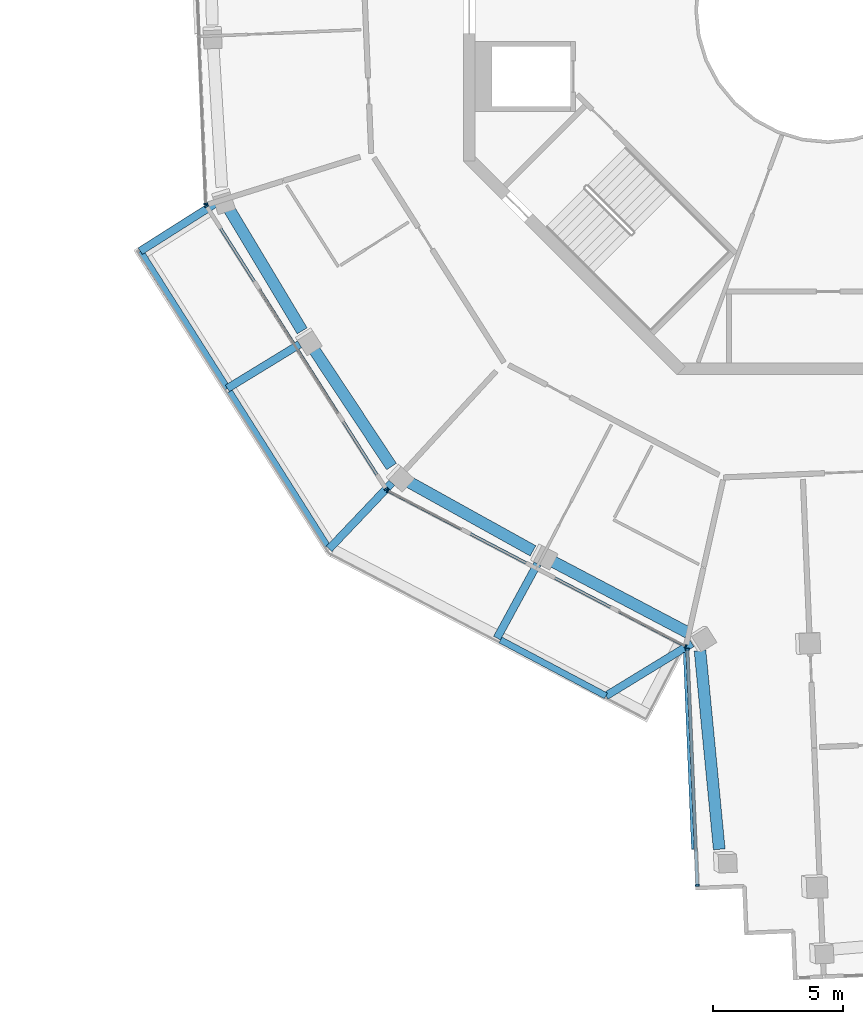
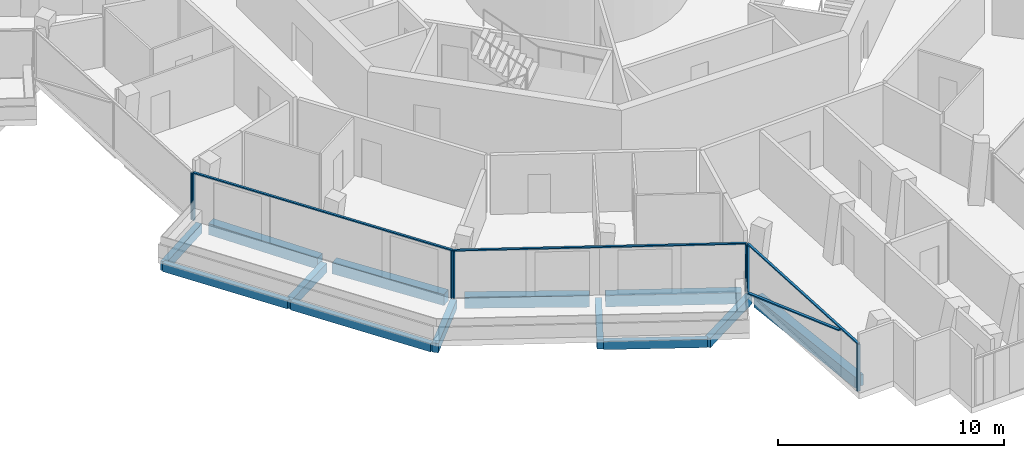
# One storey, part 2 of 23: 13 beams, 11 members, 4 elements without a shape of their own.
"""IFC4 building model written with IfcOpenShell, lengths in metres."""

from ifc_helpers import new_model, si_unit, direction, frame, origin, origin_2d, place, context, subcontext, project, spatial, rectangle, extrude, material, layer, layer_set, material_profile, profile_set, type_object, element, aggregate, save


model = new_model("IFC4")

# Units and contexts
model_context = context("Model", 3, precision=1e-05, world=origin(), true_north=direction((0.0, 1.0)))
body_context = subcontext(model_context, "Body", "Model", "MODEL_VIEW")
ifc_project = project(units=[si_unit("LENGTHUNIT", "METRE"), si_unit("AREAUNIT", "SQUARE_METRE"), si_unit("VOLUMEUNIT", "CUBIC_METRE"), si_unit("PLANEANGLEUNIT", "RADIAN"), si_unit("MASSUNIT", "GRAM", prefix="KILO")], contexts=[model_context])

# Site, building, storey
site_placement = place(None, origin())
site = spatial("IfcSite", under=ifc_project, at=site_placement, CompositionType="ELEMENT")
building_placement = place(site_placement, origin())
building = spatial("IfcBuilding", under=site, at=building_placement, Name="Verdalira Terraces Hotel", CompositionType="ELEMENT")
storey_placement = place(building_placement, frame((0.0, 0.0, 288.0)))
storey = spatial("IfcBuildingStorey", under=building, at=storey_placement, Name="L71", CompositionType="ELEMENT", Elevation=288.0)

# Beams
ifc_material_1 = material(Name="Concrete C40", Category="concrete")
ifc_material_profile_1 = material_profile(ifc_material_1, rectangle(XDim=0.300049, YDim=0.5, at=origin_2d()), Name="RC 300X500")
ifc_profile_set_1 = profile_set([ifc_material_profile_1], Name="Concrete C40")
beam_type_1 = type_object("IfcBeamType", Name="Balcony cantilever beam RC 300X500 C40", PredefinedType="BEAM", material=ifc_profile_set_1)
beam_1_placement = place(storey_placement, frame((-11.15918, -21.25708, -0.560059), z_axis=(-0.478094243, -0.878308542, 0.0), x_axis=(0.878308542, -0.478094243, 0.0)))
element("IfcBeam", 1, at=beam_1_placement, inside=storey, type_object=beam_type_1, Name="Balcony cantilever beam R12-1", PredefinedType="BEAM", context=body_context, shape_type="SweptSolid", body=[
    extrude(rectangle(XDim=0.300049, YDim=0.5, at=origin_2d()), origin(), (0.0, 0.0, 1.0), 3.250732),
])
beam_2_placement = place(storey_placement, frame((-5.227783, -24.312988, -0.560059), z_axis=(-0.853188253, -0.521603111, 0.0), x_axis=(0.521603111, -0.853188253, 0.0)))
element("IfcBeam", 2, at=beam_2_placement, inside=storey, type_object=beam_type_1, Name="Balcony cantilever beam R12-2", PredefinedType="BEAM", context=body_context, shape_type="SweptSolid", body=[
    extrude(rectangle(XDim=0.300049, YDim=0.5, at=origin_2d()), origin(), (0.0, 0.0, 1.0), 3.869873),
])
beam_3_placement = place(storey_placement, frame((-23.551758, -7.441406, -0.560059), z_axis=(-0.84432001, -0.535839268, 0.0), x_axis=(0.535839268, -0.84432001, 0.0)))
element("IfcBeam", 3, at=beam_3_placement, inside=storey, type_object=beam_type_1, Name="Balcony cantilever beam R12-3", PredefinedType="BEAM", context=body_context, shape_type="SweptSolid", body=[
    extrude(rectangle(XDim=0.300049, YDim=0.5, at=origin_2d()), origin(), (0.0, 0.0, 1.0), 3.385742),
])
beam_4_placement = place(storey_placement, frame((-20.29248, -12.82959, -0.560059), z_axis=(-0.853209426, -0.521568477, 0.0), x_axis=(0.521568477, -0.853209426, 0.0)))
element("IfcBeam", 4, at=beam_4_placement, inside=storey, type_object=beam_type_1, Name="Balcony cantilever beam R12-4", PredefinedType="BEAM", context=body_context, shape_type="SweptSolid", body=[
    extrude(rectangle(XDim=0.300049, YDim=0.5, at=origin_2d()), origin(), (0.0, 0.0, 1.0), 3.250977),
])
beam_5_placement = place(storey_placement, frame((-16.748047, -18.151367, -0.560059), z_axis=(-0.689106643, -0.724659944, 0.0), x_axis=(0.724659944, -0.689106643, 0.0)))
element("IfcBeam", 5, at=beam_5_placement, inside=storey, type_object=beam_type_1, Name="Balcony cantilever beam R12-5", PredefinedType="BEAM", context=body_context, shape_type="SweptSolid", body=[
    extrude(rectangle(XDim=0.300049, YDim=0.5, at=origin_2d()), origin(), (0.0, 0.0, 1.0), 3.502197),
])
ifc_material_2 = material(Name="Concrete C40", Category="concrete")
ifc_material_profile_2 = material_profile(ifc_material_2, rectangle(XDim=0.25, YDim=0.449951, at=origin_2d()), Name="RC 250X450")
ifc_profile_set_2 = profile_set([ifc_material_profile_2], Name="Concrete C40")
beam_type_2 = type_object("IfcBeamType", Name="Balcony edge beam RC 250X450 C40", PredefinedType="BEAM", material=ifc_profile_set_2)
beam_6_placement = place(storey_placement, frame((-12.580811, -24.182617, -0.534912), z_axis=(0.883414689, -0.468592027, 0.0), x_axis=(0.468592027, 0.883414689, 0.0)))
element("IfcBeam", 6, at=beam_6_placement, inside=storey, type_object=beam_type_2, Name="Balcony edge beam R12-1", PredefinedType="BEAM", context=body_context, shape_type="SweptSolid", body=[
    extrude(rectangle(XDim=0.25, YDim=0.449951, at=origin_2d()), origin(), (0.0, 0.0, 1.0), 4.585938),
])
beam_7_placement = place(storey_placement, frame((-26.4104, -9.255615, -0.534912), z_axis=(0.535837311, -0.844321252, 0.0), x_axis=(0.844321252, 0.535837311, 0.0)))
element("IfcBeam", 7, at=beam_7_placement, inside=storey, type_object=beam_type_2, Name="Balcony edge beam R12-2", PredefinedType="BEAM", context=body_context, shape_type="SweptSolid", body=[
    extrude(rectangle(XDim=0.25, YDim=0.449951, at=origin_2d()), origin(), (0.0, 0.0, 1.0), 6.241211),
])
beam_8_placement = place(storey_placement, frame((-22.98584, -14.651855, -0.534912), z_axis=(0.535130163, -0.844769618, 0.0), x_axis=(0.844769618, 0.535130163, 0.0)))
element("IfcBeam", 8, at=beam_8_placement, inside=storey, type_object=beam_type_2, Name="Balcony edge beam R12-3", PredefinedType="BEAM", context=body_context, shape_type="SweptSolid", body=[
    extrude(rectangle(XDim=0.25, YDim=0.449951, at=origin_2d()), origin(), (0.0, 0.0, 1.0), 6.992188),
])

# Curtain wall, member
ifc_material_3 = material(Name="Clear glass", Category="glass")
ifc_layer_1 = layer(ifc_material_3, 0.14990234375)
ifc_layer_set_1 = layer_set([ifc_layer_1], Name="CW1 curtain wall")
curtain_wall_type_1 = type_object("IfcCurtainWallType", Name="CW1 curtain wall", PredefinedType="NOTDEFINED", material=ifc_layer_set_1)
curtain_wall_1_placement = place(storey_placement, origin())
curtain_wall_1 = element("IfcCurtainWall", 9, at=curtain_wall_1_placement, inside=storey, type_object=curtain_wall_type_1, Name="CW1 curtain wall L71 edge 11", PredefinedType="NOTDEFINED")
ifc_material_4 = material(Name="Terracotta frame", Category="masonry")
ifc_material_profile_3 = material_profile(ifc_material_4, rectangle(XDim=0.060059, YDim=0.149902, at=origin_2d()), Name="MU 60x150")
ifc_profile_set_3 = profile_set([ifc_material_profile_3], Name="Terracotta frame")
member_type_1 = type_object("IfcMemberType", Name="CW1 mullion 60x150", PredefinedType="MULLION", material=ifc_profile_set_3)
member_1_placement = place(storey_placement, frame((-23.892822, -7.436768, 0.0), z_axis=(0.0, 0.0, 1.0), x_axis=(0.041875654, -0.99912283, 0.0)))
member_1 = element("IfcMember", 10, at=member_1_placement, type_object=member_type_1, Name="CW1 mullion", PredefinedType="MULLION", context=body_context, shape_type="SweptSolid", body=[
    extrude(rectangle(XDim=0.060059, YDim=0.149902, at=origin_2d()), origin(), (0.0, 0.0, 1.0), 2.524902),
])
aggregate(curtain_wall_1, [member_1])

# Curtain wall, members
curtain_wall_2_placement = place(storey_placement, origin())
curtain_wall_2 = element("IfcCurtainWall", 11, at=curtain_wall_2_placement, inside=storey, type_object=curtain_wall_type_1, Name="CW1 curtain wall L71 edge 12", PredefinedType="NOTDEFINED")
member_2_placement = place(storey_placement, frame((-23.864014, -7.529297, 0.0), z_axis=(0.0, 0.0, 1.0), x_axis=(0.535826795, -0.844327926, 0.0)))
member_2 = element("IfcMember", 12, at=member_2_placement, type_object=member_type_1, Name="CW1 mullion", PredefinedType="MULLION", context=body_context, shape_type="SweptSolid", body=[
    extrude(rectangle(XDim=0.060059, YDim=0.149902, at=origin_2d()), origin(), (0.0, 0.0, 1.0), 2.524902),
])
member_3_placement = place(storey_placement, frame((-16.973389, -18.386963, 0.0), z_axis=(0.0, 0.0, 1.0), x_axis=(0.535826795, -0.844327926, 0.0)))
member_3 = element("IfcMember", 13, at=member_3_placement, type_object=member_type_1, Name="CW1 mullion", PredefinedType="MULLION", context=body_context, shape_type="SweptSolid", body=[
    extrude(rectangle(XDim=0.060059, YDim=0.149902, at=origin_2d()), origin(), (0.0, 0.0, 1.0), 2.524902),
])

curtain_wall_3_placement = place(storey_placement, origin())
curtain_wall_3 = element("IfcCurtainWall", 14, at=curtain_wall_3_placement, inside=storey, type_object=curtain_wall_type_1, Name="CW1 curtain wall L71 edge 13", PredefinedType="NOTDEFINED")
member_4_placement = place(storey_placement, frame((-16.9021, -18.452393, 0.0), z_axis=(0.0, 0.0, 1.0), x_axis=(0.886203579, -0.463296035, 0.0)))
member_4 = element("IfcMember", 15, at=member_4_placement, type_object=member_type_1, Name="CW1 mullion", PredefinedType="MULLION", context=body_context, shape_type="SweptSolid", body=[
    extrude(rectangle(XDim=0.060059, YDim=0.149902, at=origin_2d()), origin(), (0.0, 0.0, 1.0), 2.524902),
])
member_5_placement = place(storey_placement, frame((-5.470215, -24.428955, 0.0), z_axis=(0.0, 0.0, 1.0), x_axis=(0.886203579, -0.463296035, 0.0)))
member_5 = element("IfcMember", 16, at=member_5_placement, type_object=member_type_1, Name="CW1 mullion", PredefinedType="MULLION", context=body_context, shape_type="SweptSolid", body=[
    extrude(rectangle(XDim=0.060059, YDim=0.149902, at=origin_2d()), origin(), (0.0, 0.0, 1.0), 2.524902),
])

# Member
ifc_material_5 = material(Name="Terracotta frame", Category="masonry")
ifc_material_profile_4 = material_profile(ifc_material_5, rectangle(XDim=0.110107, YDim=0.064941, at=origin_2d()), Name="TR 65x110")
ifc_profile_set_4 = profile_set([ifc_material_profile_4], Name="Terracotta frame")
member_type_2 = type_object("IfcMemberType", Name="CW1 transom 65x110", PredefinedType="USERDEFINED", material=ifc_profile_set_4)
member_6_placement = place(storey_placement, frame((-23.879883, -7.503906, 2.557617), z_axis=(0.535821072, -0.844331557, 0.0), x_axis=(0.844331557, 0.535821072, 0.0)))
member_6 = element("IfcMember", 17, at=member_6_placement, type_object=member_type_2, Name="CW1 transom", ObjectType="TRANSOM", PredefinedType="USERDEFINED", context=body_context, shape_type="SweptSolid", body=[
    extrude(rectangle(XDim=0.110107, YDim=0.064941, at=origin_2d()), origin(), (0.0, 0.0, 1.0), 12.919678),
])

aggregate(curtain_wall_2, [member_2, member_3, member_6])

member_7_placement = place(storey_placement, frame((-16.928711, -18.438477, 2.557617), z_axis=(0.886199604, -0.463303639, 0.0), x_axis=(0.463303639, 0.886199604, 0.0)))
member_7 = element("IfcMember", 18, at=member_7_placement, type_object=member_type_2, Name="CW1 transom", ObjectType="TRANSOM", PredefinedType="USERDEFINED", context=body_context, shape_type="SweptSolid", body=[
    extrude(rectangle(XDim=0.110107, YDim=0.064941, at=origin_2d()), origin(), (0.0, 0.0, 1.0), 12.959961),
])

aggregate(curtain_wall_3, [member_4, member_5, member_7])

# Curtain wall, members
ifc_material_6 = material(Name="Clear glass", Category="glass")
ifc_layer_2 = layer(ifc_material_6, 0.14990234375)
ifc_layer_set_2 = layer_set([ifc_layer_2], Name="CW2 curtain wall")
curtain_wall_type_2 = type_object("IfcCurtainWallType", Name="CW2 curtain wall", PredefinedType="NOTDEFINED", material=ifc_layer_set_2)
curtain_wall_4_placement = place(storey_placement, origin())
curtain_wall_4 = element("IfcCurtainWall", 19, at=curtain_wall_4_placement, inside=storey, type_object=curtain_wall_type_2, Name="CW2 curtain wall L71 edge 14", PredefinedType="NOTDEFINED")
ifc_material_7 = material(Name="Terracotta frame", Category="masonry")
ifc_material_profile_5 = material_profile(ifc_material_7, rectangle(XDim=0.070068, YDim=0.149902, at=origin_2d()), Name="MU 70x150")
ifc_profile_set_5 = profile_set([ifc_material_profile_5], Name="Terracotta frame")
member_type_3 = type_object("IfcMemberType", Name="CW2 mullion 70x150", PredefinedType="MULLION", material=ifc_profile_set_5)
member_8_placement = place(storey_placement, frame((-5.4021, -24.541016, 0.0), z_axis=(0.0, 0.0, 1.0), x_axis=(0.041875654, -0.99912283, 0.0)))
member_8 = element("IfcMember", 20, at=member_8_placement, type_object=member_type_3, Name="CW2 mullion", PredefinedType="MULLION", context=body_context, shape_type="SweptSolid", body=[
    extrude(rectangle(XDim=0.070068, YDim=0.149902, at=origin_2d()), origin(), (0.0, 0.0, 1.0), 2.524902),
])
member_9_placement = place(storey_placement, frame((-5.022217, -33.605469, 0.0), z_axis=(0.0, 0.0, 1.0), x_axis=(0.041875654, -0.99912283, 0.0)))
member_9 = element("IfcMember", 21, at=member_9_placement, type_object=member_type_3, Name="CW2 mullion", PredefinedType="MULLION", context=body_context, shape_type="SweptSolid", body=[
    extrude(rectangle(XDim=0.070068, YDim=0.149902, at=origin_2d()), origin(), (0.0, 0.0, 1.0), 2.524902),
])
ifc_material_8 = material(Name="Terracotta frame", Category="masonry")
ifc_material_profile_6 = material_profile(ifc_material_8, rectangle(XDim=0.11499, YDim=0.064941, at=origin_2d()), Name="TR 65x115")
ifc_profile_set_6 = profile_set([ifc_material_profile_6], Name="Terracotta frame")
member_type_4 = type_object("IfcMemberType", Name="CW2 transom 65x115", PredefinedType="USERDEFINED", material=ifc_profile_set_6)
member_10_placement = place(storey_placement, frame((-5.403564, -24.506104, 2.557617), z_axis=(0.041872689, -0.999122954, 0.0), x_axis=(0.999122954, 0.041872689, 0.0)))
member_10 = element("IfcMember", 22, at=member_10_placement, type_object=member_type_4, Name="CW2 transom", ObjectType="TRANSOM", PredefinedType="USERDEFINED", context=body_context, shape_type="SweptSolid", body=[
    extrude(rectangle(XDim=0.11499, YDim=0.064941, at=origin_2d()), origin(), (0.0, 0.0, 1.0), 9.142334),
])
ifc_material_9 = material(Name="Terracotta frame", Category="masonry")
ifc_material_profile_7 = material_profile(ifc_material_9, rectangle(XDim=0.149902, YDim=0.060059, at=origin_2d()), Name="GB 60x150")
ifc_profile_set_7 = profile_set([ifc_material_profile_7], Name="Terracotta frame")
member_type_5 = type_object("IfcMemberType", Name="Diagonal glazing bar 60x150", PredefinedType="USERDEFINED", material=ifc_profile_set_7)
member_11_placement = place(storey_placement, frame((-5.487793, -24.668945, 0.029053), z_axis=(0.039816733, -0.949764265, 0.310423049), x_axis=(0.999122398, 0.041885962, 0.0)))
member_11 = element("IfcMember", 23, at=member_11_placement, type_object=member_type_5, Name="Diagonal glazing bar", ObjectType="GLAZING BAR", PredefinedType="USERDEFINED", context=body_context, shape_type="SweptSolid", body=[
    extrude(rectangle(XDim=0.149902, YDim=0.060059, at=origin_2d()), origin(), (0.0, 0.0, 1.0), 7.946533),
])
aggregate(curtain_wall_4, [member_8, member_9, member_10, member_11])

# Beams
ifc_material_10 = material(Name="Concrete C40", Category="concrete")
ifc_material_profile_8 = material_profile(ifc_material_10, rectangle(XDim=0.449951, YDim=0.600098, at=origin_2d()), Name="RC 450X600")
ifc_profile_set_8 = profile_set([ifc_material_profile_8], Name="Concrete C40")
beam_type_3 = type_object("IfcBeamType", Name="Spandrel beam RC 450X600 C40", PredefinedType="SPANDREL", material=ifc_profile_set_8)
beam_9_placement = place(storey_placement, frame((-23.035156, -7.578857, -0.610107), z_axis=(0.514443754, -0.857524124, 0.0), x_axis=(0.857524124, 0.514443754, 0.0)))
element("IfcBeam", 24, at=beam_9_placement, inside=storey, type_object=beam_type_3, Name="Spandrel beam B06", PredefinedType="SPANDREL", context=body_context, shape_type="SweptSolid", body=[
    extrude(rectangle(XDim=0.449951, YDim=0.600098, at=origin_2d()), origin(), (0.0, 0.0, 1.0), 5.523438),
])
beam_10_placement = place(storey_placement, frame((-19.812012, -12.92041, -0.610107), z_axis=(0.552054557, -0.833807991, 0.0), x_axis=(0.833807991, 0.552054557, 0.0)))
element("IfcBeam", 25, at=beam_10_placement, inside=storey, type_object=beam_type_3, Name="Spandrel beam B07", PredefinedType="SPANDREL", context=body_context, shape_type="SweptSolid", body=[
    extrude(rectangle(XDim=0.449951, YDim=0.600098, at=origin_2d()), origin(), (0.0, 0.0, 1.0), 5.521484),
])
beam_11_placement = place(storey_placement, frame((-16.159424, -18.081055, -0.610107), z_axis=(0.874286511, -0.485410236, 0.0), x_axis=(0.485410236, 0.874286511, 0.0)))
element("IfcBeam", 26, at=beam_11_placement, inside=storey, type_object=beam_type_3, Name="Spandrel beam B08", PredefinedType="SPANDREL", context=body_context, shape_type="SweptSolid", body=[
    extrude(rectangle(XDim=0.449951, YDim=0.600098, at=origin_2d()), origin(), (0.0, 0.0, 1.0), 5.523438),
])
beam_12_placement = place(storey_placement, frame((-10.707764, -21.098877, -0.610107), z_axis=(0.884840687, -0.46589372, 0.0), x_axis=(0.46589372, 0.884840687, 0.0)))
element("IfcBeam", 27, at=beam_12_placement, inside=storey, type_object=beam_type_3, Name="Spandrel beam B09", PredefinedType="SPANDREL", context=body_context, shape_type="SweptSolid", body=[
    extrude(rectangle(XDim=0.449951, YDim=0.600098, at=origin_2d()), origin(), (0.0, 0.0, 1.0), 6.011719),
])
beam_13_placement = place(storey_placement, frame((-4.918701, -24.588623, -0.610107), z_axis=(0.09648697, -0.995334248, 0.0), x_axis=(0.995334248, 0.09648697, 0.0)))
element("IfcBeam", 28, at=beam_13_placement, inside=storey, type_object=beam_type_3, Name="Spandrel beam B10", PredefinedType="SPANDREL", context=body_context, shape_type="SweptSolid", body=[
    extrude(rectangle(XDim=0.449951, YDim=0.600098, at=origin_2d()), origin(), (0.0, 0.0, 1.0), 7.669434),
])

save(model, "model.ifc")
